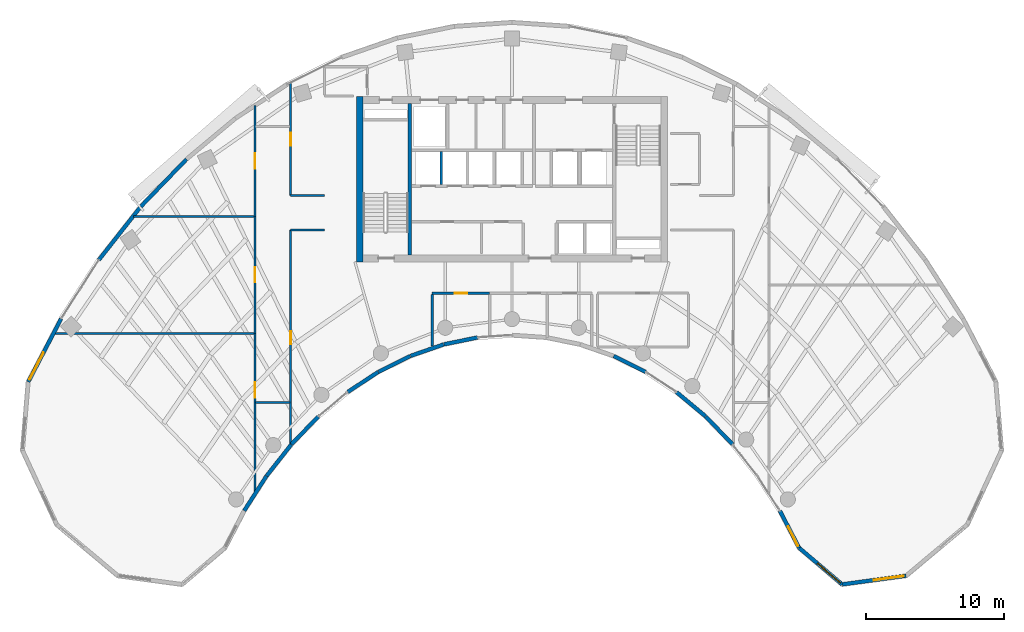
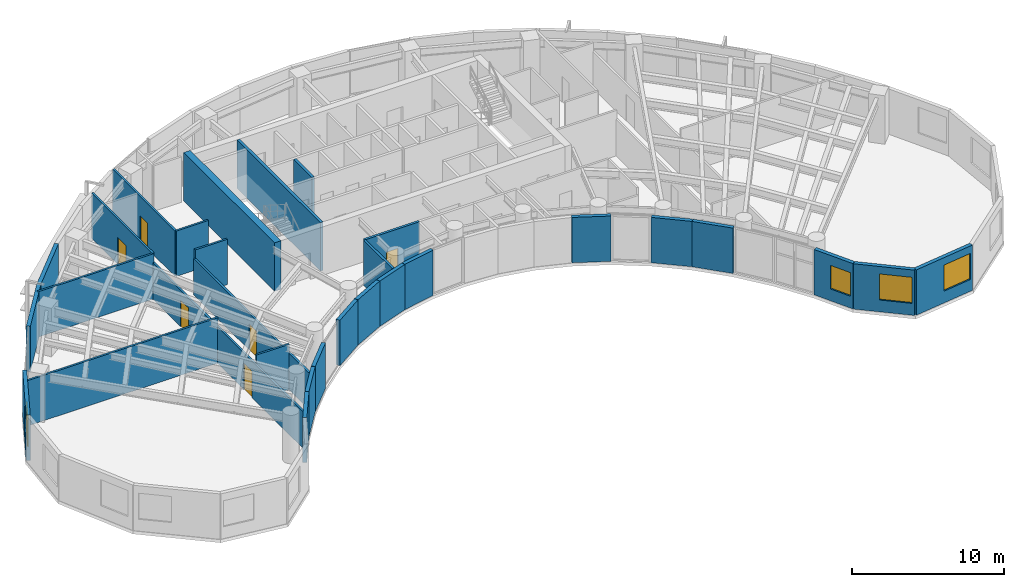
# One storey, part 7 of 13: 31 walls, 6 doors, 4 windows, 10 openings.
"""IFC4 building model written with IfcOpenShell, lengths in metres."""

import ifcopenshell
import ifcopenshell.guid

model = None  # the IFC model being written
_history = None  # IfcOwnerHistory: only IFC2X3 demands one
_inside = {}  # id of a spatial element -> (the spatial element, [elements in it])
_under = {}  # id of a project, library or spatial element -> (it, [spatial elements below it])
_declared = {}  # id of a project -> (the project, [libraries it declares])
_typed = {}  # id of a type object -> (the type object, [elements of that type])
_made_of = {}  # id of a material, layer set ... -> (it, [elements and type objects made of it])


def new_model(schema):
    """Start an empty IFC model of exactly this schema.

    Asked for "IFC4X3", IfcOpenShell would pick the latest addendum, in which some entities
    have other attributes; the version numbers below select the first issue.
    IFC2X3 requires an IfcOwnerHistory on every rooted entity: one is made here for all.
    """
    global model, _history
    if schema == "IFC4X3":
        model = ifcopenshell.file(schema_version=(4, 3, 0, 0))
    else:
        model = ifcopenshell.file(schema=schema)
    _inside.clear()
    _under.clear()
    _declared.clear()
    _typed.clear()
    _made_of.clear()
    _history = None
    if model.schema == "IFC2X3":
        org = make("IfcOrganization", Name="unknown")
        user = make(
            "IfcPersonAndOrganization",
            ThePerson=make("IfcPerson", FamilyName="unknown"),
            TheOrganization=org,
        )
        app = make(
            "IfcApplication",
            ApplicationDeveloper=org,
            Version="unknown",
            ApplicationFullName="unknown",
            ApplicationIdentifier="unknown",
        )
        _history = make(
            "IfcOwnerHistory",
            OwningUser=user,
            OwningApplication=app,
            ChangeAction="ADDED",
            CreationDate=0,
        )
    return model


def make(cls, **values):
    """One entity of the class cls with the attributes given. An attribute that is None is left unset."""
    return model.create_entity(
        cls, **{name: value for name, value in values.items() if value is not None}
    )


def rooted(cls, **values):
    """An entity with a GlobalId (a new one), such as an element, a storey or a relation."""
    return make(cls, GlobalId=ifcopenshell.guid.new(), OwnerHistory=_history, **values)


def si_unit(unit_type, name, prefix=None):
    """IfcSIUnit, for example si_unit("LENGTHUNIT", "METRE", prefix="MILLI")."""
    return make("IfcSIUnit", UnitType=unit_type, Prefix=prefix, Name=name)


def assignment(units):
    """IfcUnitAssignment: the units of a project."""
    return None if units is None else make("IfcUnitAssignment", Units=units)


def point(xyz):
    """IfcCartesianPoint."""
    return None if xyz is None else make("IfcCartesianPoint", Coordinates=xyz)


def direction(xyz):
    """IfcDirection."""
    return None if xyz is None else make("IfcDirection", DirectionRatios=xyz)


def frame(location, z_axis=None, x_axis=None):
    """IfcAxis2Placement3D, a coordinate frame: its origin and axes. An axis left out is left unset."""
    return make(
        "IfcAxis2Placement3D",
        Location=point(location),
        Axis=direction(z_axis),
        RefDirection=direction(x_axis),
    )


def frame_2d(location, x_axis=None):
    """IfcAxis2Placement2D, a coordinate frame in the plane: its origin and x axis."""
    return make(
        "IfcAxis2Placement2D", Location=point(location), RefDirection=direction(x_axis)
    )


def origin():
    """The frame at (0, 0, 0) with its axes left unset."""
    return frame((0.0, 0.0, 0.0))


def place(relative_to, where):
    """IfcLocalPlacement: puts the frame where relative to a parent placement (None: the world)."""
    return make(
        "IfcLocalPlacement", PlacementRelTo=relative_to, RelativePlacement=where
    )


def context(
    kind, dimensions, precision=None, world=None, true_north=None, identifier=None
):
    """IfcGeometricRepresentationContext, for example the 3D "Model" context."""
    return make(
        "IfcGeometricRepresentationContext",
        ContextIdentifier=identifier,
        ContextType=kind,
        CoordinateSpaceDimension=dimensions,
        Precision=precision,
        WorldCoordinateSystem=world,
        TrueNorth=true_north,
    )


def subcontext(parent, identifier, kind, view, scale=None):
    """IfcGeometricRepresentationSubContext, for example "Body" below "Model"."""
    return make(
        "IfcGeometricRepresentationSubContext",
        ContextIdentifier=identifier,
        ContextType=kind,
        ParentContext=parent,
        TargetScale=scale,
        TargetView=view,
    )


def project(units=None, contexts=None):
    """IfcProject with its units and contexts."""
    return rooted(
        "IfcProject",
        Name="project",
        RepresentationContexts=contexts,
        UnitsInContext=assignment(units),
    )


def spatial(cls, under=None, at=None, **own):
    """A site, building, storey or space (cls), placed at a placement, below another one or the project."""
    s = rooted(cls, ObjectPlacement=at, **own)
    if under is not None:
        _under.setdefault(under.id(), (under, []))[1].append(s)
    return s


def profile(cls, at=None, kind="AREA", **sizes):
    """A parametric profile (cls). Its sizes go by their IFC names, for example OverallWidth=200.0."""
    return make(cls, ProfileType=kind, Position=at, **sizes)


def rectangle(**sizes):
    """IfcRectangleProfileDef."""
    return profile("IfcRectangleProfileDef", **sizes)


def extrude(swept, where, along, depth):
    """IfcExtrudedAreaSolid: the profile swept, set in the frame where, extruded along a direction by depth."""
    return make(
        "IfcExtrudedAreaSolid",
        SweptArea=swept,
        Position=where,
        ExtrudedDirection=direction(along),
        Depth=depth,
    )


def shape(context_of_items, identifier, shape_type, items):
    """IfcShapeRepresentation: the items that make up one representation, for example the "Body"."""
    return make(
        "IfcShapeRepresentation",
        ContextOfItems=context_of_items,
        RepresentationIdentifier=identifier,
        RepresentationType=shape_type,
        Items=items,
    )


def source(mapping_origin, context_of_items, identifier, shape_type, items):
    """IfcRepresentationMap: a shape defined once, which mapped items show again and again."""
    return make(
        "IfcRepresentationMap",
        MappingOrigin=mapping_origin,
        MappedRepresentation=shape(context_of_items, identifier, shape_type, items),
    )


def transform(
    local_origin,
    x_axis=None,
    y_axis=None,
    z_axis=None,
    scale=None,
    scale2=None,
    scale3=None,
    uniform=True,
):
    """IfcCartesianTransformationOperator3D, or its non-uniform kind. x_axis, y_axis, z_axis: its Axis1, 2, 3."""
    if uniform:
        return make(
            "IfcCartesianTransformationOperator3D",
            Axis1=direction(x_axis),
            Axis2=direction(y_axis),
            LocalOrigin=point(local_origin),
            Scale=scale,
            Axis3=direction(z_axis),
        )
    return make(
        "IfcCartesianTransformationOperator3DnonUniform",
        Axis1=direction(x_axis),
        Axis2=direction(y_axis),
        LocalOrigin=point(local_origin),
        Scale=scale,
        Axis3=direction(z_axis),
        Scale2=scale2,
        Scale3=scale3,
    )


def mapped(mapping_source, mapping_target):
    """IfcMappedItem: shows the shape of a source again, moved by a transform."""
    return make(
        "IfcMappedItem", MappingSource=mapping_source, MappingTarget=mapping_target
    )


def material(Name=None, Category=None):
    """IfcMaterial."""
    return make("IfcMaterial", Name=Name, Category=Category)


def layer(
    of_material, thickness, ventilated=None, Name=None, Category=None, Priority=None
):
    """IfcMaterialLayer: one layer of a wall or slab, of a material (None: an air gap)."""
    return make(
        "IfcMaterialLayer",
        Material=of_material,
        LayerThickness=thickness,
        IsVentilated=ventilated,
        Name=Name,
        Category=Category,
        Priority=Priority,
    )


def layer_set(layers, Name=None):
    """IfcMaterialLayerSet."""
    return make("IfcMaterialLayerSet", MaterialLayers=layers, LayerSetName=Name)


def made_of(thing, what):
    """Note that an element or type object is made of a material, layer set ...; save() writes the relation."""
    if what is not None:
        _made_of.setdefault(what.id(), (what, []))[1].append(thing)
    return thing


def type_object(cls, material=None, **own):
    """A type object (cls), such as IfcWallType, which elements share."""
    return made_of(rooted(cls, **own), material)


def type_shapes(of_type, sources):
    """Give a type object the sources (RepresentationMaps) that its elements show as mapped items."""
    of_type.RepresentationMaps = sources


def element(
    cls,
    number,
    at=None,
    inside=None,
    cuts=None,
    type_object=None,
    material=None,
    context=None,
    identifier="Body",
    shape_type=None,
    held_by="IfcProductDefinitionShape",
    body=None,
    shapes=None,
    **own,
):
    """One element of the class cls, such as IfcWall. Its Tag is "e" and its number.

    at: its placement. inside: the storey or other place that contains it. cuts: it is an
    opening in that element (IfcRelVoidsElement). A single representation is given by context,
    identifier, shape_type and body (its items); several are given by shapes. held_by: the class
    of the entity that holds the representations. save() writes the other relations.
    """
    e = rooted(cls, Tag="e%d" % number, ObjectPlacement=at, **own)
    if body is not None:
        shapes = [shape(context, identifier, shape_type, body)]
    if shapes is not None:
        e.Representation = make(held_by, Representations=shapes)
    if inside is not None:
        _inside.setdefault(inside.id(), (inside, []))[1].append(e)
    if cuts is not None:
        rooted(
            "IfcRelVoidsElement", RelatingBuildingElement=cuts, RelatedOpeningElement=e
        )
    if type_object is not None:
        _typed.setdefault(type_object.id(), (type_object, []))[1].append(e)
    return made_of(e, material)


def fill(opening, filler):
    """IfcRelFillsElement: the door or window that sits in an opening."""
    return rooted(
        "IfcRelFillsElement",
        RelatingOpeningElement=opening,
        RelatedBuildingElement=filler,
    )


def aggregate(whole, parts):
    """IfcRelAggregates: a whole, such as a stair, and the parts it consists of."""
    return rooted("IfcRelAggregates", RelatingObject=whole, RelatedObjects=parts)


def save(model, path):
    """Write the relations noted so far, then the file.

    IfcRelAggregates (storeys below a building ...), IfcRelContainedInSpatialStructure (elements
    in a storey), IfcRelDefinesByType, IfcRelAssociatesMaterial and IfcRelDeclares: one each for
    every whole, place, type object, material and project.
    """
    for whole, parts in _under.values():
        aggregate(whole, parts)
    for where, things in _inside.values():
        rooted(
            "IfcRelContainedInSpatialStructure",
            RelatedElements=things,
            RelatingStructure=where,
        )
    for kind, things in _typed.values():
        rooted("IfcRelDefinesByType", RelatedObjects=things, RelatingType=kind)
    for what, things in _made_of.values():
        rooted("IfcRelAssociatesMaterial", RelatedObjects=things, RelatingMaterial=what)
    for by, libraries in _declared.values():
        rooted("IfcRelDeclares", RelatingContext=by, RelatedDefinitions=libraries)
    model.write(path)


model = new_model("IFC4")

# Units and contexts
model_context = context("Model", 3, precision=1e-05, world=origin(), true_north=direction((0.0, 1.0)))
body_context = subcontext(model_context, "Body", "Model", "MODEL_VIEW")
ifc_project = project(units=[si_unit("LENGTHUNIT", "METRE"), si_unit("AREAUNIT", "SQUARE_METRE"), si_unit("VOLUMEUNIT", "CUBIC_METRE"), si_unit("PLANEANGLEUNIT", "RADIAN"), si_unit("MASSUNIT", "GRAM", prefix="KILO")], contexts=[model_context])

# Site, building, storey
site_placement = place(None, origin())
site = spatial("IfcSite", under=ifc_project, at=site_placement, CompositionType="ELEMENT")
building_placement = place(site_placement, origin())
building = spatial("IfcBuilding", under=site, at=building_placement, Name="Breltana Convention Tower", CompositionType="ELEMENT")
storey_placement = place(building_placement, frame((0.0, 0.0, 146.699951171875)))
storey = spatial("IfcBuildingStorey", under=building, at=storey_placement, Name="L35", CompositionType="ELEMENT", Elevation=146.699951171875)

# Walls
ifc_material_1 = material(Name="Concrete C60/75", Category="concrete")
ifc_layer_1 = layer(ifc_material_1, 0.5, Name="Concrete C60/75")
ifc_layer_set_1 = layer_set([ifc_layer_1], Name="Concrete C60/75")
wall_type_1 = type_object("IfcWallType", Name="SW-CORE-500", PredefinedType="SHEAR", material=ifc_layer_set_1)
shared_shape_1 = source(origin(), body_context, "Body", "SweptSolid", [
    extrude(rectangle(XDim=12.0, YDim=0.5, at=frame_2d((6.0, 0.0))), origin(), (0.0, 0.0, 1.0), 3.900146484375),
])
wall_1_placement = place(storey_placement, frame((36.949951171875, 60.199951171875, 0.0), z_axis=(0.0, 0.0, 1.0), x_axis=(0.0, 1.0, 0.0)))
element("IfcWall", 1, at=wall_1_placement, inside=storey, type_object=wall_type_1, Name="L35 West Core Shear Wall", PredefinedType="SHEAR", context=body_context, shape_type="MappedRepresentation", body=[
    mapped(shared_shape_1, transform((0.0, 0.0, 0.0), scale=1.0)),
])
ifc_material_2 = material(Name="Concrete C50/60", Category="concrete")
ifc_layer_2 = layer(ifc_material_2, 0.39990234375, Name="Concrete C50/60")
ifc_layer_set_2 = layer_set([ifc_layer_2], Name="Concrete C50/60")
wall_type_2 = type_object("IfcWallType", Name="SW-CORE-400", PredefinedType="SHEAR", material=ifc_layer_set_2)
shared_shape_2 = source(origin(), body_context, "Body", "SweptSolid", [
    extrude(rectangle(XDim=11.0, YDim=0.219970703125, at=frame_2d((5.5, 0.0))), origin(), (0.0, 0.0, 1.0), 3.900146484375),
])
wall_2_placement = place(storey_placement, frame((40.580078125, 60.699951171875, 0.0), z_axis=(0.0, 0.0, 1.0), x_axis=(0.0, 1.0, 0.0)))
element("IfcWall", 2, at=wall_2_placement, inside=storey, type_object=wall_type_2, Name="L35 Core West Stair Spine Wall", PredefinedType="SHEAR", context=body_context, shape_type="MappedRepresentation", body=[
    mapped(shared_shape_2, transform((0.0, 0.0, 0.0), scale=1.0)),
])

# Wall, opening, window
ifc_material_3 = material(Name="Limestone Buff Insulated Wall", Category="masonry")
ifc_layer_3 = layer(ifc_material_3, 0.280029296875, Name="Limestone Buff Insulated Wall")
ifc_layer_set_3 = layer_set([ifc_layer_3], Name="Limestone Buff Insulated Wall")
wall_type_3 = type_object("IfcWallType", Name="WL-EXT-NOSE-280", PredefinedType="SOLIDWALL", material=ifc_layer_set_3)
shared_shape_3 = source(origin(), body_context, "Body", "SweptSolid", [
    extrude(rectangle(XDim=4.680419921875, YDim=0.280029296875, at=frame_2d((2.34033203125, 0.0))), origin(), (0.0, 0.0, 1.0), 3.650146484375),
])
wall_3_placement = place(storey_placement, frame((76.594482421875, 37.41650390625, 0.0), z_axis=(0.0, 0.0, 1.0), x_axis=(-0.990931146435, -0.134370618162, 0.0)))
wall_3 = element("IfcWall", 3, at=wall_3_placement, inside=storey, type_object=wall_type_3, Name="L35 curved limestone nose wall E4", PredefinedType="SOLIDWALL", context=body_context, shape_type="MappedRepresentation", body=[
    mapped(shared_shape_3, transform((0.0, 0.0, 0.0), scale=1.0)),
])
opening_1_placement = place(wall_3_placement, frame((0.159912109375, 0.0, 0.949951171875)))
opening_1 = element("IfcOpeningElement", 4, at=opening_1_placement, cuts=wall_3, Name="Opening W-03", PredefinedType="OPENING", context=body_context, shape_type="SweptSolid", body=[
    extrude(rectangle(XDim=2.199951171875, YDim=2.10009765625, at=frame_2d((1.10009765625, 1.050048828125))), frame((0.0, 0.14990234375, 0.0), z_axis=(0.0, -1.0, 0.0), x_axis=(1.0, 0.0, 0.0)), (0.0, 0.0, 1.0), 0.300048828125),
])
ifc_material_4 = material(Name="Glass Low-E Insulated Window", Category="glass")
window_type_1 = type_object("IfcWindowType", Name="WN-NOSE-2200X2100", PartitioningType="TRIPLE_PANEL_VERTICAL", PredefinedType="WINDOW", material=ifc_material_4)
shared_shape_4 = source(origin(), body_context, "Body", "SweptSolid", [
    extrude(rectangle(XDim=2.199951171875, YDim=2.10009765625, at=frame_2d((1.10009765625, 1.050048828125))), frame((0.0, 0.030029296875, 0.0), z_axis=(0.0, -1.0, 0.0), x_axis=(1.0, 0.0, 0.0)), (0.0, 0.0, 1.0), 0.06005859375),
])
type_shapes(window_type_1, [shared_shape_4])
window_1_placement = place(opening_1_placement, origin())
window_1 = element("IfcWindow", 5, at=window_1_placement, inside=storey, type_object=window_type_1, Name="L35 nose window E4", OverallHeight=2.10009765625, OverallWidth=2.199951171875, PartitioningType="TRIPLE_PANEL_VERTICAL", PredefinedType="WINDOW", context=body_context, shape_type="MappedRepresentation", body=[
    mapped(shared_shape_4, transform((0.0, 0.0, 0.0), scale=1.0)),
])
fill(opening_1, window_1)

shared_shape_5 = source(origin(), body_context, "Body", "SweptSolid", [
    extrude(rectangle(XDim=4.095947265625, YDim=0.280029296875, at=frame_2d((2.0478515625, 0.0))), origin(), (0.0, 0.0, 1.0), 3.650146484375),
])
wall_4_placement = place(storey_placement, frame((71.95654296875, 36.78759765625, 0.0), z_axis=(0.0, 0.0, 1.0), x_axis=(-0.761926081737, 0.647663991564, 0.0)))
wall_4 = element("IfcWall", 6, at=wall_4_placement, inside=storey, type_object=wall_type_3, Name="L35 curved limestone nose wall E5", PredefinedType="SOLIDWALL", context=body_context, shape_type="MappedRepresentation", body=[
    mapped(shared_shape_5, transform((0.0, 0.0, 0.0), scale=1.0)),
])
opening_2_placement = place(wall_4_placement, frame((0.159912109375, 0.0, 0.949951171875)))
opening_2 = element("IfcOpeningElement", 7, at=opening_2_placement, cuts=wall_4, Name="Opening W-03", PredefinedType="OPENING", context=body_context, shape_type="SweptSolid", body=[
    extrude(rectangle(XDim=2.199951171875, YDim=2.10009765625, at=frame_2d((1.10009765625, 1.050048828125))), frame((0.0, 0.14990234375, 0.0), z_axis=(0.0, -1.0, 0.0), x_axis=(1.0, 0.0, 0.0)), (0.0, 0.0, 1.0), 0.300048828125),
])
window_2_placement = place(opening_2_placement, origin())
window_2 = element("IfcWindow", 8, at=window_2_placement, inside=storey, type_object=window_type_1, Name="L35 nose window E5", OverallHeight=2.10009765625, OverallWidth=2.199951171875, PartitioningType="TRIPLE_PANEL_VERTICAL", PredefinedType="WINDOW", context=body_context, shape_type="MappedRepresentation", body=[
    mapped(shared_shape_4, transform((0.0, 0.0, 0.0), scale=1.0)),
])
fill(opening_2, window_2)

shared_shape_6 = source(origin(), body_context, "Body", "SweptSolid", [
    extrude(rectangle(XDim=3.02392578125, YDim=0.280029296875, at=frame_2d((1.511962890625, 0.0))), origin(), (0.0, 0.0, 1.0), 3.650146484375),
])
wall_5_placement = place(storey_placement, frame((68.835693359375, 39.4404296875, 0.0), z_axis=(0.0, 0.0, 1.0), x_axis=(-0.461718746531, 0.887026380161, 0.0)))
wall_5 = element("IfcWall", 9, at=wall_5_placement, inside=storey, type_object=wall_type_3, Name="L35 curved limestone nose wall E6", PredefinedType="SOLIDWALL", context=body_context, shape_type="MappedRepresentation", body=[
    mapped(shared_shape_6, transform((0.0, 0.0, 0.0), scale=1.0)),
])
opening_3_placement = place(wall_5_placement, frame((0.159912109375, 0.0, 0.949951171875)))
opening_3 = element("IfcOpeningElement", 10, at=opening_3_placement, cuts=wall_5, Name="Opening W-04", PredefinedType="OPENING", context=body_context, shape_type="SweptSolid", body=[
    extrude(rectangle(XDim=1.60009765625, YDim=1.89990234375, at=frame_2d((0.800048828125, 0.949951171875))), frame((0.0, 0.14990234375, 0.0), z_axis=(0.0, -1.0, 0.0), x_axis=(1.0, 0.0, 0.0)), (0.0, 0.0, 1.0), 0.300048828125),
])
window_type_2 = type_object("IfcWindowType", Name="WN-NOSE-1600X1900", PartitioningType="SINGLE_PANEL", PredefinedType="WINDOW", material=ifc_material_4)
shared_shape_7 = source(origin(), body_context, "Body", "SweptSolid", [
    extrude(rectangle(XDim=1.60009765625, YDim=1.89990234375, at=frame_2d((0.800048828125, 0.949951171875))), frame((0.0, 0.030029296875, 0.0), z_axis=(0.0, -1.0, 0.0), x_axis=(1.0, 0.0, 0.0)), (0.0, 0.0, 1.0), 0.06005859375),
])
type_shapes(window_type_2, [shared_shape_7])
window_3_placement = place(opening_3_placement, origin())
window_3 = element("IfcWindow", 11, at=window_3_placement, inside=storey, type_object=window_type_2, Name="L35 nose window E6", OverallHeight=1.89990234375, OverallWidth=1.60009765625, PartitioningType="SINGLE_PANEL", PredefinedType="WINDOW", context=body_context, shape_type="MappedRepresentation", body=[
    mapped(shared_shape_7, transform((0.0, 0.0, 0.0), scale=1.0)),
])
fill(opening_3, window_3)

# Walls
shared_shape_8 = source(origin(), body_context, "Body", "SweptSolid", [
    extrude(rectangle(XDim=2.812255859375, YDim=0.280029296875, at=frame_2d((1.40625, 0.0))), origin(), (0.0, 0.0, 1.0), 3.650146484375),
])
for number, where, z_axis, x_axis, name in (
    (12, (64.00830078125, 46.9501953125, 0.0), (0.0, 0.0, 1.0), (-0.694583668785, 0.719411931411, 0.0), "L35 curved limestone nose wall E7"),
    (13, (33.945068359375, 48.973388671875, 0.0), (0.0, 0.0, 1.0), (-0.694583668785, -0.719411931411, 0.0), "L35 curved limestone nose wall E17"),
):
    element("IfcWall", number, at=place(storey_placement, frame(where, z_axis=z_axis, x_axis=x_axis)), inside=storey, type_object=wall_type_3, Name=name, PredefinedType="SOLIDWALL", context=body_context, shape_type="MappedRepresentation", body=[
        mapped(shared_shape_8, transform((0.0, 0.0, 0.0), scale=1.0)),
    ])
shared_shape_9 = source(origin(), body_context, "Body", "SweptSolid", [
    extrude(rectangle(XDim=2.7294921875, YDim=0.280029296875, at=frame_2d((1.36474609375, 0.0))), origin(), (0.0, 0.0, 1.0), 3.650146484375),
])
wall_6_placement = place(storey_placement, frame((62.040771484375, 48.986572265625, 0.0), z_axis=(0.0, 0.0, 1.0), x_axis=(-0.767957284255, 0.640501061326, 0.0)))
element("IfcWall", 14, at=wall_6_placement, inside=storey, type_object=wall_type_3, Name="L35 curved limestone nose wall E8", PredefinedType="SOLIDWALL", context=body_context, shape_type="MappedRepresentation", body=[
    mapped(shared_shape_9, transform((0.0, 0.0, 0.0), scale=1.0)),
])
shared_shape_10 = source(origin(), body_context, "Body", "SweptSolid", [
    extrude(rectangle(XDim=2.58447265625, YDim=0.280029296875, at=frame_2d((1.292236328125, 0.0))), origin(), (0.0, 0.0, 1.0), 3.650146484375),
])
for number, where, z_axis, x_axis, name in (
    (15, (57.692138671875, 52.21337890625, 0.0), (0.0, 0.0, 1.0), (-0.895989792847, 0.44407464588, 0.0), "L35 curved limestone nose wall E9"),
    (16, (40.62353515625, 53.361083984375, 0.0), (0.0, 0.0, 1.0), (-0.895989792847, -0.44407464588, 0.0), "L35 curved limestone nose wall E15"),
):
    element("IfcWall", number, at=place(storey_placement, frame(where, z_axis=z_axis, x_axis=x_axis)), inside=storey, type_object=wall_type_3, Name=name, PredefinedType="SOLIDWALL", context=body_context, shape_type="MappedRepresentation", body=[
        mapped(shared_shape_10, transform((0.0, 0.0, 0.0), scale=1.0)),
    ])
shared_shape_11 = source(origin(), body_context, "Body", "SweptSolid", [
    extrude(rectangle(XDim=2.52978515625, YDim=0.280029296875, at=frame_2d((1.264892578125, 0.0))), origin(), (0.0, 0.0, 1.0), 3.650146484375),
])
wall_7_placement = place(storey_placement, frame((43.034912109375, 54.1982421875, 0.0), z_axis=(0.0, 0.0, 1.0), x_axis=(-0.944872429646, -0.327438683872, 0.0)))
element("IfcWall", 17, at=wall_7_placement, inside=storey, type_object=wall_type_3, Name="L35 curved limestone nose wall E14", PredefinedType="SOLIDWALL", context=body_context, shape_type="MappedRepresentation", body=[
    mapped(shared_shape_11, transform((0.0, 0.0, 0.0), scale=1.0)),
])
shared_shape_12 = source(origin(), body_context, "Body", "SweptSolid", [
    extrude(rectangle(XDim=2.4912109375, YDim=0.280029296875, at=frame_2d((1.24560546875, 0.0))), origin(), (0.0, 0.0, 1.0), 3.650146484375),
])
wall_8_placement = place(storey_placement, frame((45.498046875, 54.704833984375, 0.0), z_axis=(0.0, 0.0, 1.0), x_axis=(-0.979630885979, -0.200806691214, 0.0)))
element("IfcWall", 18, at=wall_8_placement, inside=storey, type_object=wall_type_3, Name="L35 curved limestone nose wall E13", PredefinedType="SOLIDWALL", context=body_context, shape_type="MappedRepresentation", body=[
    mapped(shared_shape_12, transform((0.0, 0.0, 0.0), scale=1.0)),
])
shared_shape_13 = source(origin(), body_context, "Body", "SweptSolid", [
    extrude(rectangle(XDim=2.65234375, YDim=0.280029296875, at=frame_2d((1.326171875, 0.0))), origin(), (0.0, 0.0, 1.0), 3.650146484375),
])
wall_9_placement = place(storey_placement, frame((38.2890625, 52.202392578125, 0.0), z_axis=(0.0, 0.0, 1.0), x_axis=(-0.836008323535, -0.54871676025, 0.0)))
element("IfcWall", 19, at=wall_9_placement, inside=storey, type_object=wall_type_3, Name="L35 curved limestone nose wall E16", PredefinedType="SOLIDWALL", context=body_context, shape_type="MappedRepresentation", body=[
    mapped(shared_shape_13, transform((0.0, 0.0, 0.0), scale=1.0)),
])
shared_shape_14 = source(origin(), body_context, "Body", "SweptSolid", [
    extrude(rectangle(XDim=2.89697265625, YDim=0.280029296875, at=frame_2d((1.448486328125, 0.0))), origin(), (0.0, 0.0, 1.0), 3.650146484375),
])
wall_10_placement = place(storey_placement, frame((31.9794921875, 46.936279296875, 0.0), z_axis=(0.0, 0.0, 1.0), x_axis=(-0.618167636915, -0.786046291685, 0.0)))
element("IfcWall", 20, at=wall_10_placement, inside=storey, type_object=wall_type_3, Name="L35 curved limestone nose wall E18", PredefinedType="SOLIDWALL", context=body_context, shape_type="MappedRepresentation", body=[
    mapped(shared_shape_14, transform((0.0, 0.0, 0.0), scale=1.0)),
])
shared_shape_15 = source(origin(), body_context, "Body", "SweptSolid", [
    extrude(rectangle(XDim=2.980712890625, YDim=0.280029296875, at=frame_2d((1.490234375, 0.0))), origin(), (0.0, 0.0, 1.0), 3.650146484375),
])
wall_11_placement = place(storey_placement, frame((30.1787109375, 44.64501953125, 0.0), z_axis=(0.0, 0.0, 1.0), x_axis=(-0.540194451908, -0.841540227278, 0.0)))
element("IfcWall", 21, at=wall_11_placement, inside=storey, type_object=wall_type_3, Name="L35 curved limestone nose wall E19", PredefinedType="SOLIDWALL", context=body_context, shape_type="MappedRepresentation", body=[
    mapped(shared_shape_15, transform((0.0, 0.0, 0.0), scale=1.0)),
])

# Wall, opening, window
shared_shape_16 = source(origin(), body_context, "Body", "SweptSolid", [
    extrude(rectangle(XDim=5.1708984375, YDim=0.280029296875, at=frame_2d((2.58544921875, 0.0))), origin(), (0.0, 0.0, 1.0), 3.650146484375),
])
wall_12_placement = place(storey_placement, frame((12.897705078125, 51.48876953125, 0.0), z_axis=(0.0, 0.0, 1.0), x_axis=(0.461752581363, 0.887008767491, 0.0)))
wall_12 = element("IfcWall", 22, at=wall_12_placement, inside=storey, type_object=wall_type_3, Name="L35 curved limestone nose wall W7", PredefinedType="SOLIDWALL", context=body_context, shape_type="MappedRepresentation", body=[
    mapped(shared_shape_16, transform((0.0, 0.0, 0.0), scale=1.0)),
])
opening_4_placement = place(wall_12_placement, frame((0.19287109375, 0.0, 0.949951171875)))
opening_4 = element("IfcOpeningElement", 23, at=opening_4_placement, cuts=wall_12, Name="Opening W-03", PredefinedType="OPENING", context=body_context, shape_type="SweptSolid", body=[
    extrude(rectangle(XDim=2.199951171875, YDim=2.10009765625, at=frame_2d((1.10009765625, 1.050048828125))), frame((0.0, 0.14990234375, 0.0), z_axis=(0.0, -1.0, 0.0), x_axis=(1.0, 0.0, 0.0)), (0.0, 0.0, 1.0), 0.300048828125),
])
window_4_placement = place(opening_4_placement, origin())
window_4 = element("IfcWindow", 24, at=window_4_placement, inside=storey, type_object=window_type_1, Name="L35 nose window W7", OverallHeight=2.10009765625, OverallWidth=2.199951171875, PartitioningType="TRIPLE_PANEL_VERTICAL", PredefinedType="WINDOW", context=body_context, shape_type="MappedRepresentation", body=[
    mapped(shared_shape_4, transform((0.0, 0.0, 0.0), scale=1.0)),
])
fill(opening_4, window_4)

# Walls
shared_shape_17 = source(origin(), body_context, "Body", "SweptSolid", [
    extrude(rectangle(XDim=4.921630859375, YDim=0.280029296875, at=frame_2d((2.4609375, 0.0))), origin(), (0.0, 0.0, 1.0), 3.650146484375),
])
wall_13_placement = place(storey_placement, frame((18.021240234375, 60.337646484375, 0.0), z_axis=(0.0, 0.0, 1.0), x_axis=(0.61817639101, 0.786039407153, 0.0)))
element("IfcWall", 25, at=wall_13_placement, inside=storey, type_object=wall_type_3, Name="L35 curved limestone nose wall E20", PredefinedType="SOLIDWALL", context=body_context, shape_type="MappedRepresentation", body=[
    mapped(shared_shape_17, transform((0.0, 0.0, 0.0), scale=1.0)),
])
shared_shape_18 = source(origin(), body_context, "Body", "SweptSolid", [
    extrude(rectangle(XDim=4.77587890625, YDim=0.280029296875, at=frame_2d((2.387939453125, 0.0))), origin(), (0.0, 0.0, 1.0), 3.650146484375),
])
wall_14_placement = place(storey_placement, frame((21.063720703125, 64.206298828125, 0.0), z_axis=(0.0, 0.0, 1.0), x_axis=(0.694601811851, 0.719394414055, 0.0)))
element("IfcWall", 26, at=wall_14_placement, inside=storey, type_object=wall_type_3, Name="L35 curved limestone nose wall E21", PredefinedType="SOLIDWALL", context=body_context, shape_type="MappedRepresentation", body=[
    mapped(shared_shape_18, transform((0.0, 0.0, 0.0), scale=1.0)),
])
ifc_material_5 = material(Name="Autoclaved Aerated Concrete Block", Category="concrete")
ifc_layer_4 = layer(ifc_material_5, 0.199951171875, Name="Autoclaved Aerated Concrete Block")
ifc_layer_set_4 = layer_set([ifc_layer_4], Name="Autoclaved Aerated Concrete Block")
wall_type_4 = type_object("IfcWallType", Name="WL-SHAFT-200", PredefinedType="SOLIDWALL", material=ifc_layer_set_4)
shared_shape_19 = source(origin(), body_context, "Body", "SweptSolid", [
    extrude(rectangle(XDim=2.39990234375, YDim=0.199951171875, at=frame_2d((1.199951171875, 0.0))), origin(), (0.0, 0.0, 1.0), 3.650146484375),
])
wall_15_placement = place(storey_placement, frame((42.8701171875, 65.800048828125, 0.0), z_axis=(0.0, 0.0, 1.0), x_axis=(0.0, 1.0, 0.0)))
element("IfcWall", 27, at=wall_15_placement, inside=storey, type_object=wall_type_4, Name="L35 interior partition W-L35-SH-M-DIV1", PredefinedType="SOLIDWALL", context=body_context, shape_type="MappedRepresentation", body=[
    mapped(shared_shape_19, transform((0.0, 0.0, 0.0), scale=1.0)),
])

# Wall, opening, door
ifc_material_6 = material(Name="Moisture-Resistant Gypsum Chase Wall")
ifc_layer_5 = layer(ifc_material_6, 0.179931640625, Name="Moisture-Resistant Gypsum Chase Wall")
ifc_layer_set_5 = layer_set([ifc_layer_5], Name="Moisture-Resistant Gypsum Chase Wall")
wall_type_5 = type_object("IfcWallType", Name="WL-PLUMB-180", PredefinedType="PLUMBINGWALL", material=ifc_layer_set_5)
shared_shape_20 = source(origin(), body_context, "Body", "SweptSolid", [
    extrude(rectangle(XDim=4.176025390625, YDim=0.179931640625, at=frame_2d((2.087890625, 0.0))), origin(), (0.0, 0.0, 1.0), 3.650146484375),
])
wall_16_placement = place(storey_placement, frame((42.199951171875, 57.919921875, 0.0), z_axis=(0.0, 0.0, 1.0), x_axis=(1.0, 0.0, 0.0)))
wall_16 = element("IfcWall", 28, at=wall_16_placement, inside=storey, type_object=wall_type_5, Name="L35 interior partition W-L35-WCM-N", PredefinedType="PLUMBINGWALL", context=body_context, shape_type="MappedRepresentation", body=[
    mapped(shared_shape_20, transform((0.0, 0.0, 0.0), scale=1.0)),
])
opening_5_placement = place(wall_16_placement, frame((1.637939453125, 0.0, 0.0)))
opening_5 = element("IfcOpeningElement", 29, at=opening_5_placement, cuts=wall_16, Name="Opening D-19", PredefinedType="OPENING", context=body_context, shape_type="SweptSolid", body=[
    extrude(rectangle(XDim=0.89990234375, YDim=2.080078125, at=frame_2d((0.449951171875, 1.0400390625))), frame((0.0, 0.10009765625, 0.0), z_axis=(0.0, -1.0, 0.0), x_axis=(1.0, 0.0, 0.0)), (0.0, 0.0, 1.0), 0.199951171875),
])
ifc_material_7 = material(Name="Timber Moisture-Resistant Door", Category="wood")
door_type_1 = type_object("IfcDoorType", Name="DR-WC-900", OperationType="NOTDEFINED", PredefinedType="DOOR", material=ifc_material_7)
shared_shape_21 = source(origin(), body_context, "Body", "SweptSolid", [
    extrude(rectangle(XDim=0.89990234375, YDim=2.080078125, at=frame_2d((0.449951171875, 1.0400390625))), frame((0.0, 0.02490234375, 0.0), z_axis=(0.0, -1.0, 0.0), x_axis=(1.0, 0.0, 0.0)), (0.0, 0.0, 1.0), 0.050048828125),
])
type_shapes(door_type_1, [shared_shape_21])
door_1_placement = place(opening_5_placement, origin())
door_1 = element("IfcDoor", 30, at=door_1_placement, inside=storey, type_object=door_type_1, Name="L35 interior door D-L35-WCM", OperationType="SINGLE_SWING_RIGHT", OverallHeight=2.080078125, OverallWidth=0.89990234375, PredefinedType="DOOR", context=body_context, shape_type="MappedRepresentation", body=[
    mapped(shared_shape_21, transform((0.0, 0.0, 0.0), scale=1.0)),
])
fill(opening_5, door_1)

# Walls
ifc_material_8 = material(Name="Cement Board Wet-Area Partition")
ifc_layer_6 = layer(ifc_material_8, 0.175048828125, Name="Cement Board Wet-Area Partition")
ifc_layer_set_6 = layer_set([ifc_layer_6], Name="Cement Board Wet-Area Partition")
wall_type_6 = type_object("IfcWallType", Name="WL-WET-175", PredefinedType="PARTITIONING", material=ifc_layer_set_6)
shared_shape_22 = source(origin(), body_context, "Body", "SweptSolid", [
    extrude(rectangle(XDim=3.7626953125, YDim=0.175048828125, at=frame_2d((1.88134765625, 0.0))), origin(), (0.0, 0.0, 1.0), 3.650146484375),
])
wall_17_placement = place(storey_placement, frame((42.199951171875, 54.07861328125, 0.0), z_axis=(0.0, 0.0, 1.0), x_axis=(0.0, 1.0, 0.0)))
element("IfcWall", 31, at=wall_17_placement, inside=storey, type_object=wall_type_6, Name="L35 interior partition W-L35-WCM-W", PredefinedType="PARTITIONING", context=body_context, shape_type="MappedRepresentation", body=[
    mapped(shared_shape_22, transform((0.0, 0.0, 0.0), scale=1.0)),
])
ifc_material_9 = material(Name="Gypsum Acoustic Drywall Partition")
ifc_layer_7 = layer(ifc_material_9, 0.14990234375, Name="Gypsum Acoustic Drywall Partition")
ifc_layer_set_7 = layer_set([ifc_layer_7], Name="Gypsum Acoustic Drywall Partition")
wall_type_7 = type_object("IfcWallType", Name="WL-PART-150", PredefinedType="PARTITIONING", material=ifc_layer_set_7)
shared_shape_23 = source(origin(), body_context, "Body", "SweptSolid", [
    extrude(rectangle(XDim=2.5, YDim=0.14990234375, at=frame_2d((1.25, 0.0))), origin(), (0.0, 0.0, 1.0), 3.650146484375),
])
wall_18_placement = place(storey_placement, frame((29.39990234375, 50.0, 0.0), z_axis=(0.0, 0.0, 1.0), x_axis=(1.0, 0.0, 0.0)))
element("IfcWall", 32, at=wall_18_placement, inside=storey, type_object=wall_type_7, Name="L35 interior partition W-L35-CORNW-S", PredefinedType="PARTITIONING", context=body_context, shape_type="MappedRepresentation", body=[
    mapped(shared_shape_23, transform((0.0, 0.0, 0.0), scale=1.0)),
])

# Wall, opening, door
shared_shape_24 = source(origin(), body_context, "Body", "SweptSolid", [
    extrude(rectangle(XDim=11.61181640625, YDim=0.14990234375, at=frame_2d((5.805908203125, 0.0))), origin(), (0.0, 0.0, 1.0), 2.942138671875),
])
wall_19_placement = place(storey_placement, frame((29.360107421875, 43.38818359375, 0.0), z_axis=(0.0, 0.0, 1.0), x_axis=(0.0, 1.0, 0.0)))
wall_19 = element("IfcWall", 33, at=wall_19_placement, inside=storey, type_object=wall_type_7, Name="L35 interior partition W-L35-ZW1-E", PredefinedType="PARTITIONING", context=body_context, shape_type="MappedRepresentation", body=[
    mapped(shared_shape_24, transform((0.0, 0.0, 0.0), scale=1.0)),
])
opening_6_placement = place(wall_19_placement, frame((6.9619140625, 0.0, 0.0)))
opening_6 = element("IfcOpeningElement", 34, at=opening_6_placement, cuts=wall_19, Name="Opening D-12", PredefinedType="OPENING", context=body_context, shape_type="SweptSolid", body=[
    extrude(rectangle(XDim=1.10009765625, YDim=2.14990234375, at=frame_2d((0.550048828125, 1.074951171875))), frame((0.0, 0.0849609375, 0.0), z_axis=(0.0, -1.0, 0.0), x_axis=(1.0, 0.0, 0.0)), (0.0, 0.0, 1.0), 0.169921875),
])
ifc_material_10 = material(Name="Timber Oak Acoustic Door", Category="wood")
door_type_2 = type_object("IfcDoorType", Name="DR-INT-1100", OperationType="NOTDEFINED", PredefinedType="DOOR", material=ifc_material_10)
shared_shape_25 = source(origin(), body_context, "Body", "SweptSolid", [
    extrude(rectangle(XDim=1.10009765625, YDim=2.14990234375, at=frame_2d((0.550048828125, 1.074951171875))), frame((0.0, 0.02490234375, 0.0), z_axis=(0.0, -1.0, 0.0), x_axis=(1.0, 0.0, 0.0)), (0.0, 0.0, 1.0), 0.050048828125),
])
type_shapes(door_type_2, [shared_shape_25])
door_2_placement = place(opening_6_placement, origin())
door_2 = element("IfcDoor", 35, at=door_2_placement, inside=storey, type_object=door_type_2, Name="L35 interior door D-L35-ZW1", OperationType="SINGLE_SWING_RIGHT", OverallHeight=2.14990234375, OverallWidth=1.10009765625, PredefinedType="DOOR", context=body_context, shape_type="MappedRepresentation", body=[
    mapped(shared_shape_25, transform((0.0, 0.0, 0.0), scale=1.0)),
])
fill(opening_6, door_2)

# Wall
shared_shape_26 = source(origin(), body_context, "Body", "SweptSolid", [
    extrude(rectangle(XDim=14.623291015625, YDim=0.14990234375, at=frame_2d((7.3115234375, 0.0))), origin(), (0.0, 0.0, 1.0), 3.650146484375),
])
wall_20_placement = place(storey_placement, frame((14.73681640625, 55.0, 0.0), z_axis=(0.0, 0.0, 1.0), x_axis=(1.0, 0.0, 0.0)))
element("IfcWall", 36, at=wall_20_placement, inside=storey, type_object=wall_type_7, Name="L35 interior partition W-L35-ZW1-N", PredefinedType="PARTITIONING", context=body_context, shape_type="MappedRepresentation", body=[
    mapped(shared_shape_26, transform((0.0, 0.0, 0.0), scale=1.0)),
])

# Wall, opening, door
shared_shape_27 = source(origin(), body_context, "Body", "SweptSolid", [
    extrude(rectangle(XDim=8.5, YDim=0.14990234375, at=frame_2d((4.25, 0.0))), origin(), (0.0, 0.0, 1.0), 2.942138671875),
])
wall_21_placement = place(storey_placement, frame((29.360107421875, 55.0, 0.0), z_axis=(0.0, 0.0, 1.0), x_axis=(0.0, 1.0, 0.0)))
wall_21 = element("IfcWall", 37, at=wall_21_placement, inside=storey, type_object=wall_type_7, Name="L35 interior partition W-L35-ZW2-E", PredefinedType="PARTITIONING", context=body_context, shape_type="MappedRepresentation", body=[
    mapped(shared_shape_27, transform((0.0, 0.0, 0.0), scale=1.0)),
])
opening_7_placement = place(wall_21_placement, frame((3.699951171875, 0.0, 0.0)))
opening_7 = element("IfcOpeningElement", 38, at=opening_7_placement, cuts=wall_21, Name="Opening D-12", PredefinedType="OPENING", context=body_context, shape_type="SweptSolid", body=[
    extrude(rectangle(XDim=1.10009765625, YDim=2.14990234375, at=frame_2d((0.550048828125, 1.074951171875))), frame((0.0, 0.0849609375, 0.0), z_axis=(0.0, -1.0, 0.0), x_axis=(1.0, 0.0, 0.0)), (0.0, 0.0, 1.0), 0.169921875),
])
door_3_placement = place(opening_7_placement, origin())
door_3 = element("IfcDoor", 39, at=door_3_placement, inside=storey, type_object=door_type_2, Name="L35 interior door D-L35-ZW2", OperationType="SINGLE_SWING_LEFT", OverallHeight=2.14990234375, OverallWidth=1.10009765625, PredefinedType="DOOR", context=body_context, shape_type="MappedRepresentation", body=[
    mapped(shared_shape_25, transform((0.0, 0.0, 0.0), scale=1.0)),
])
fill(opening_7, door_3)

# Wall
shared_shape_28 = source(origin(), body_context, "Body", "SweptSolid", [
    extrude(rectangle(XDim=8.839111328125, YDim=0.14990234375, at=frame_2d((4.41943359375, 0.0))), origin(), (0.0, 0.0, 1.0), 3.650146484375),
])
wall_22_placement = place(storey_placement, frame((20.52099609375, 63.5, 0.0), z_axis=(0.0, 0.0, 1.0), x_axis=(1.0, 0.0, 0.0)))
element("IfcWall", 40, at=wall_22_placement, inside=storey, type_object=wall_type_7, Name="L35 interior partition W-L35-ZW2-N", PredefinedType="PARTITIONING", context=body_context, shape_type="MappedRepresentation", body=[
    mapped(shared_shape_28, transform((0.0, 0.0, 0.0), scale=1.0)),
])

# Wall, opening, door
shared_shape_29 = source(origin(), body_context, "Body", "SweptSolid", [
    extrude(rectangle(XDim=8.03076171875, YDim=0.14990234375, at=frame_2d((4.015380859375, 0.0))), origin(), (0.0, 0.0, 1.0), 3.650146484375),
])
wall_23_placement = place(storey_placement, frame((29.360107421875, 63.5, 0.0), z_axis=(0.0, 0.0, 1.0), x_axis=(0.0, 1.0, 0.0)))
wall_23 = element("IfcWall", 41, at=wall_23_placement, inside=storey, type_object=wall_type_7, Name="L35 interior partition W-L35-ZW3-E", PredefinedType="PARTITIONING", context=body_context, shape_type="MappedRepresentation", body=[
    mapped(shared_shape_29, transform((0.0, 0.0, 0.0), scale=1.0)),
])
opening_8_placement = place(wall_23_placement, frame((3.46533203125, 0.0, 0.0)))
opening_8 = element("IfcOpeningElement", 42, at=opening_8_placement, cuts=wall_23, Name="Opening D-12", PredefinedType="OPENING", context=body_context, shape_type="SweptSolid", body=[
    extrude(rectangle(XDim=1.10009765625, YDim=2.14990234375, at=frame_2d((0.550048828125, 1.074951171875))), frame((0.0, 0.0849609375, 0.0), z_axis=(0.0, -1.0, 0.0), x_axis=(1.0, 0.0, 0.0)), (0.0, 0.0, 1.0), 0.169921875),
])
door_4_placement = place(opening_8_placement, origin())
door_4 = element("IfcDoor", 43, at=door_4_placement, inside=storey, type_object=door_type_2, Name="L35 interior door D-L35-ZW3", OperationType="SINGLE_SWING_RIGHT", OverallHeight=2.14990234375, OverallWidth=1.10009765625, PredefinedType="DOOR", context=body_context, shape_type="MappedRepresentation", body=[
    mapped(shared_shape_25, transform((0.0, 0.0, 0.0), scale=1.0)),
])
fill(opening_8, door_4)

shared_shape_30 = source(origin(), body_context, "Body", "SweptSolid", [
    extrude(rectangle(XDim=15.597900390625, YDim=0.14990234375, at=frame_2d((7.798828125, 0.0))), origin(), (0.0, 0.0, 1.0), 2.942138671875),
])
wall_24_placement = place(storey_placement, frame((31.93994140625, 46.902099609375, 0.0), z_axis=(0.0, 0.0, 1.0), x_axis=(0.0, 1.0, 0.0)))
wall_24 = element("IfcWall", 44, at=wall_24_placement, inside=storey, type_object=wall_type_7, Name="L35 interior partition W-L35-ZMW1-D", PredefinedType="PARTITIONING", context=body_context, shape_type="MappedRepresentation", body=[
    mapped(shared_shape_30, transform((0.0, 0.0, 0.0), scale=1.0)),
])
opening_9_placement = place(wall_24_placement, frame((7.323974609375, 0.0, 0.0)))
opening_9 = element("IfcOpeningElement", 45, at=opening_9_placement, cuts=wall_24, Name="Opening D-17", PredefinedType="OPENING", context=body_context, shape_type="SweptSolid", body=[
    extrude(rectangle(XDim=0.949951171875, YDim=2.10009765625, at=frame_2d((0.47509765625, 1.050048828125))), frame((0.0, 0.0849609375, 0.0), z_axis=(0.0, -1.0, 0.0), x_axis=(1.0, 0.0, 0.0)), (0.0, 0.0, 1.0), 0.169921875),
])
ifc_material_11 = material(Name="Timber Oak Veneer Door", Category="wood")
door_type_3 = type_object("IfcDoorType", Name="DR-INT-950", OperationType="NOTDEFINED", PredefinedType="DOOR", material=ifc_material_11)
shared_shape_31 = source(origin(), body_context, "Body", "SweptSolid", [
    extrude(rectangle(XDim=0.949951171875, YDim=2.10009765625, at=frame_2d((0.47509765625, 1.050048828125))), frame((0.0, 0.02490234375, 0.0), z_axis=(0.0, -1.0, 0.0), x_axis=(1.0, 0.0, 0.0)), (0.0, 0.0, 1.0), 0.050048828125),
])
type_shapes(door_type_3, [shared_shape_31])
door_5_placement = place(opening_9_placement, origin())
door_5 = element("IfcDoor", 46, at=door_5_placement, inside=storey, type_object=door_type_3, Name="L35 interior door D-L35-ZMW1", OperationType="SINGLE_SWING_LEFT", OverallHeight=2.10009765625, OverallWidth=0.949951171875, PredefinedType="DOOR", context=body_context, shape_type="MappedRepresentation", body=[
    mapped(shared_shape_31, transform((0.0, 0.0, 0.0), scale=1.0)),
])
fill(opening_9, door_5)

# Walls
shared_shape_32 = source(origin(), body_context, "Body", "SweptSolid", [
    extrude(rectangle(XDim=2.4599609375, YDim=0.14990234375, at=frame_2d((1.22998046875, 0.0))), origin(), (0.0, 0.0, 1.0), 3.650146484375),
])
for number, where, z_axis, x_axis, name in (
    (47, (31.93994140625, 62.5, 0.0), (0.0, 0.0, 1.0), (1.0, 0.0, 0.0), "L35 interior partition W-L35-ZMW1-TN"),
    (48, (31.93994140625, 65.0, 0.0), (0.0, 0.0, 1.0), (1.0, 0.0, 0.0), "L35 interior partition W-L35-ZMW2-TS"),
):
    element("IfcWall", number, at=place(storey_placement, frame(where, z_axis=z_axis, x_axis=x_axis)), inside=storey, type_object=wall_type_7, Name=name, PredefinedType="PARTITIONING", context=body_context, shape_type="MappedRepresentation", body=[
        mapped(shared_shape_32, transform((0.0, 0.0, 0.0), scale=1.0)),
    ])

# Wall, opening, door
shared_shape_33 = source(origin(), body_context, "Body", "SweptSolid", [
    extrude(rectangle(XDim=8.186767578125, YDim=0.14990234375, at=frame_2d((4.09326171875, 0.0))), origin(), (0.0, 0.0, 1.0), 3.650146484375),
])
wall_25_placement = place(storey_placement, frame((31.93994140625, 65.0, 0.0), z_axis=(0.0, 0.0, 1.0), x_axis=(0.0, 1.0, 0.0)))
wall_25 = element("IfcWall", 49, at=wall_25_placement, inside=storey, type_object=wall_type_7, Name="L35 interior partition W-L35-ZMW2-D", PredefinedType="PARTITIONING", context=body_context, shape_type="MappedRepresentation", body=[
    mapped(shared_shape_33, transform((0.0, 0.0, 0.0), scale=1.0)),
])
opening_10_placement = place(wall_25_placement, frame((3.618408203125, 0.0, 0.0)))
opening_10 = element("IfcOpeningElement", 50, at=opening_10_placement, cuts=wall_25, Name="Opening D-17", PredefinedType="OPENING", context=body_context, shape_type="SweptSolid", body=[
    extrude(rectangle(XDim=0.949951171875, YDim=2.10009765625, at=frame_2d((0.47509765625, 1.050048828125))), frame((0.0, 0.0849609375, 0.0), z_axis=(0.0, -1.0, 0.0), x_axis=(1.0, 0.0, 0.0)), (0.0, 0.0, 1.0), 0.169921875),
])
door_6_placement = place(opening_10_placement, origin())
door_6 = element("IfcDoor", 51, at=door_6_placement, inside=storey, type_object=door_type_3, Name="L35 interior door D-L35-ZMW2", OperationType="SINGLE_SWING_RIGHT", OverallHeight=2.10009765625, OverallWidth=0.949951171875, PredefinedType="DOOR", context=body_context, shape_type="MappedRepresentation", body=[
    mapped(shared_shape_31, transform((0.0, 0.0, 0.0), scale=1.0)),
])
fill(opening_10, door_6)

save(model, "model.ifc")
